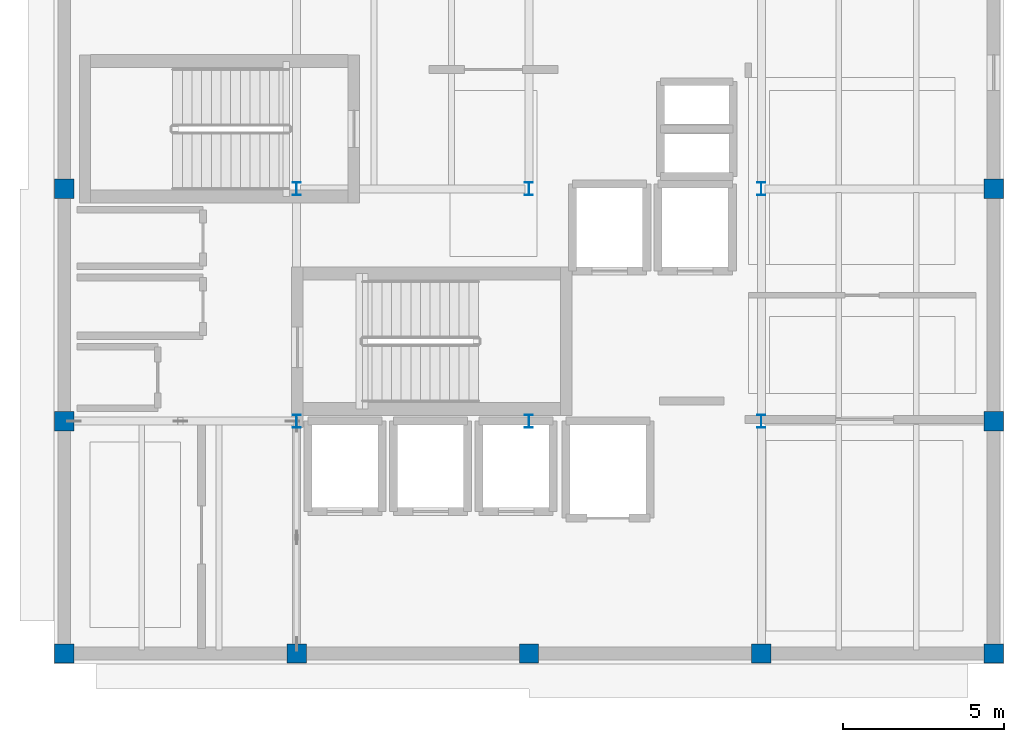
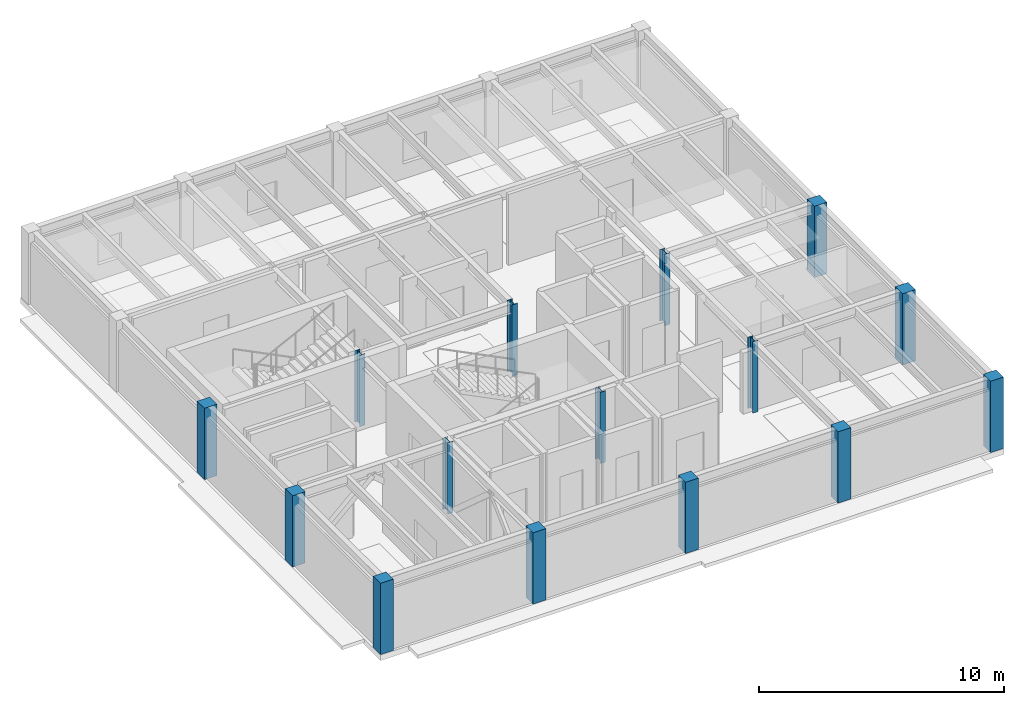
# One storey, part 1 of 8: 15 columns.
"""IFC4 building model written with IfcOpenShell, lengths in metres."""

from ifc_helpers import new_model, si_unit, direction, frame, origin, origin_2d, place, context, subcontext, project, spatial, rectangle, i_section, extrude, material, material_profile, profile_set, type_object, element, save


model = new_model("IFC4")

# Units and contexts
model_context = context("Model", 3, precision=1e-05, world=origin(), true_north=direction((0.0, 1.0)))
body_context = subcontext(model_context, "Body", "Model", "MODEL_VIEW")
ifc_project = project(units=[si_unit("LENGTHUNIT", "METRE"), si_unit("AREAUNIT", "SQUARE_METRE"), si_unit("VOLUMEUNIT", "CUBIC_METRE"), si_unit("PLANEANGLEUNIT", "RADIAN"), si_unit("MASSUNIT", "GRAM", prefix="KILO")], contexts=[model_context])

# Site, building, storey
site_placement = place(None, origin())
site = spatial("IfcSite", under=ifc_project, at=site_placement, CompositionType="ELEMENT")
building_placement = place(site_placement, origin())
building = spatial("IfcBuilding", under=site, at=building_placement, Name="Kandorven Conservatory and Botanical Research Centre", CompositionType="ELEMENT")
storey_placement = place(building_placement, frame((0.0, 0.0, 32.699951171875)))
storey = spatial("IfcBuildingStorey", under=building, at=storey_placement, Name="L08", CompositionType="ELEMENT", Elevation=32.699951171875)

# Columns
ifc_material_1 = material(Name="Steel S355 (IS 2062 E350)", Category="steel")
ifc_material_profile_1 = material_profile(ifc_material_1, i_section(OverallWidth=0.25, OverallDepth=0.39990234375, WebThickness=0.010498046875, FlangeThickness=0.0126953125, at=origin_2d()))
ifc_profile_set_1 = profile_set([ifc_material_profile_1], Name="Steel S355 (IS 2062 E350)")
column_type_1 = type_object("IfcColumnType", Name="Col_SC-02", PredefinedType="COLUMN", material=ifc_profile_set_1)
for number, where, z_axis, x_axis, name in (
    (1, (13.199951171875, 13.199951171875, 0.0), (0.0, 0.0, 1.0), (1.0, 0.0, 0.0), "Column SC-02 TWR L08 (2,2)"),
    (2, (13.199951171875, 20.39990234375, 0.0), (0.0, 0.0, 1.0), (1.0, 0.0, 0.0), "Column SC-02 TWR L08 (2,3)"),
    (3, (20.39990234375, 13.199951171875, 0.0), (0.0, 0.0, 1.0), (1.0, 0.0, 0.0), "Column SC-02 TWR L08 (3,2)"),
    (4, (20.39990234375, 20.39990234375, 0.0), (0.0, 0.0, 1.0), (1.0, 0.0, 0.0), "Column SC-02 TWR L08 (3,3)"),
    (5, (27.60009765625, 13.199951171875, 0.0), (0.0, 0.0, 1.0), (1.0, 0.0, 0.0), "Column SC-02 TWR L08 (4,2)"),
    (6, (27.60009765625, 20.39990234375, 0.0), (0.0, 0.0, 1.0), (1.0, 0.0, 0.0), "Column SC-02 TWR L08 (4,3)"),
):
    element("IfcColumn", number, at=place(storey_placement, frame(where, z_axis=z_axis, x_axis=x_axis)), inside=storey, type_object=column_type_1, Name=name, PredefinedType="COLUMN", context=body_context, shape_type="SweptSolid", body=[
        extrude(i_section(OverallWidth=0.25, OverallDepth=0.39990234375, WebThickness=0.010498046875, FlangeThickness=0.0126953125, at=origin_2d()), origin(), (0.0, 0.0, 1.0), 3.56005859375),
    ])
ifc_material_2 = material(Name="Concrete C40/50 (M50)", Category="concrete")
ifc_material_profile_2 = material_profile(ifc_material_2, rectangle(XDim=0.60009765625, YDim=0.60009765625, at=origin_2d()))
ifc_profile_set_2 = profile_set([ifc_material_profile_2], Name="Concrete C40/50 (M50)")
column_type_2 = type_object("IfcColumnType", Name="Col_TC-04", PredefinedType="COLUMN", material=ifc_profile_set_2)
for number, where, z_axis, x_axis, name in (
    (7, (6.0, 6.0, 0.0), (0.0, 0.0, 1.0), (1.0, 0.0, 0.0), "Column TC-04 TWR L08 (1,1)"),
    (8, (6.0, 13.199951171875, 0.0), (0.0, 0.0, 1.0), (1.0, 0.0, 0.0), "Column TC-04 TWR L08 (1,2)"),
    (9, (6.0, 20.39990234375, 0.0), (0.0, 0.0, 1.0), (1.0, 0.0, 0.0), "Column TC-04 TWR L08 (1,3)"),
    (10, (13.199951171875, 6.0, 0.0), (0.0, 0.0, 1.0), (1.0, 0.0, 0.0), "Column TC-04 TWR L08 (2,1)"),
    (11, (20.39990234375, 6.0, 0.0), (0.0, 0.0, 1.0), (1.0, 0.0, 0.0), "Column TC-04 TWR L08 (3,1)"),
    (12, (27.60009765625, 6.0, 0.0), (0.0, 0.0, 1.0), (1.0, 0.0, 0.0), "Column TC-04 TWR L08 (4,1)"),
    (13, (34.800048828125, 6.0, 0.0), (0.0, 0.0, 1.0), (1.0, 0.0, 0.0), "Column TC-04 TWR L08 (5,1)"),
    (14, (34.800048828125, 13.199951171875, 0.0), (0.0, 0.0, 1.0), (1.0, 0.0, 0.0), "Column TC-04 TWR L08 (5,2)"),
    (15, (34.800048828125, 20.39990234375, 0.0), (0.0, 0.0, 1.0), (1.0, 0.0, 0.0), "Column TC-04 TWR L08 (5,3)"),
):
    element("IfcColumn", number, at=place(storey_placement, frame(where, z_axis=z_axis, x_axis=x_axis)), inside=storey, type_object=column_type_2, Name=name, PredefinedType="COLUMN", context=body_context, shape_type="SweptSolid", body=[
        extrude(rectangle(XDim=0.60009765625, YDim=0.60009765625, at=origin_2d()), origin(), (0.0, 0.0, 1.0), 3.56005859375),
    ])

save(model, "model.ifc")
